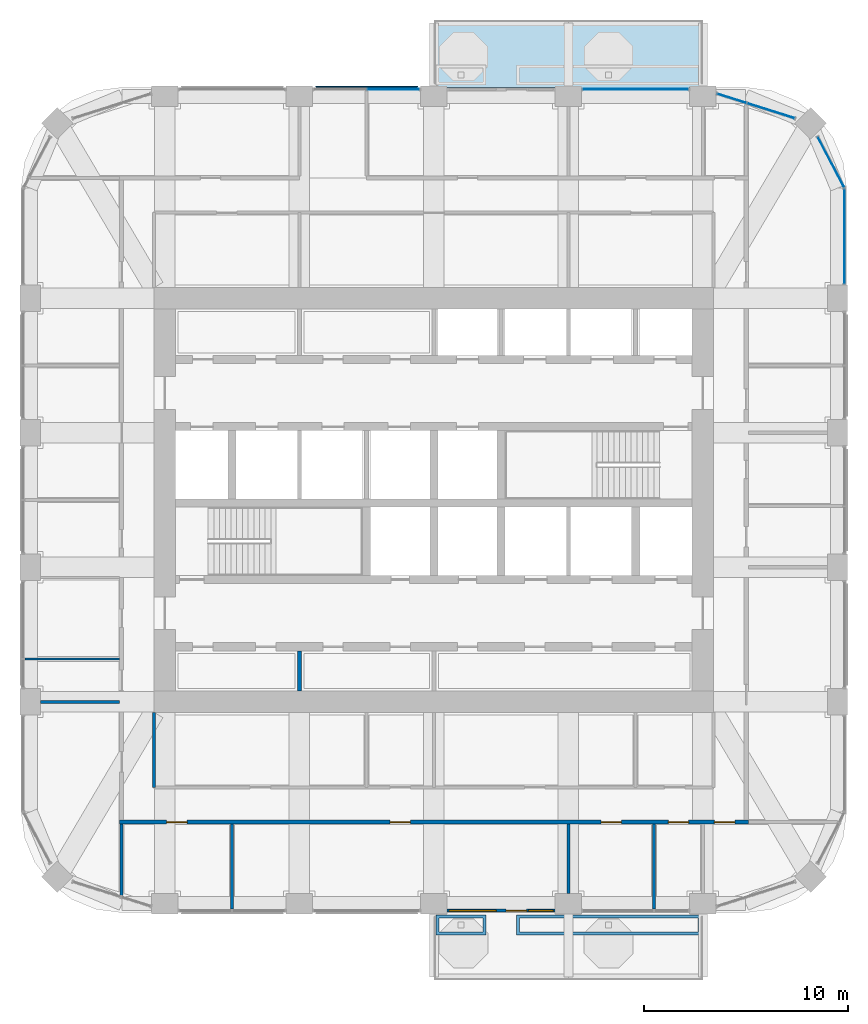
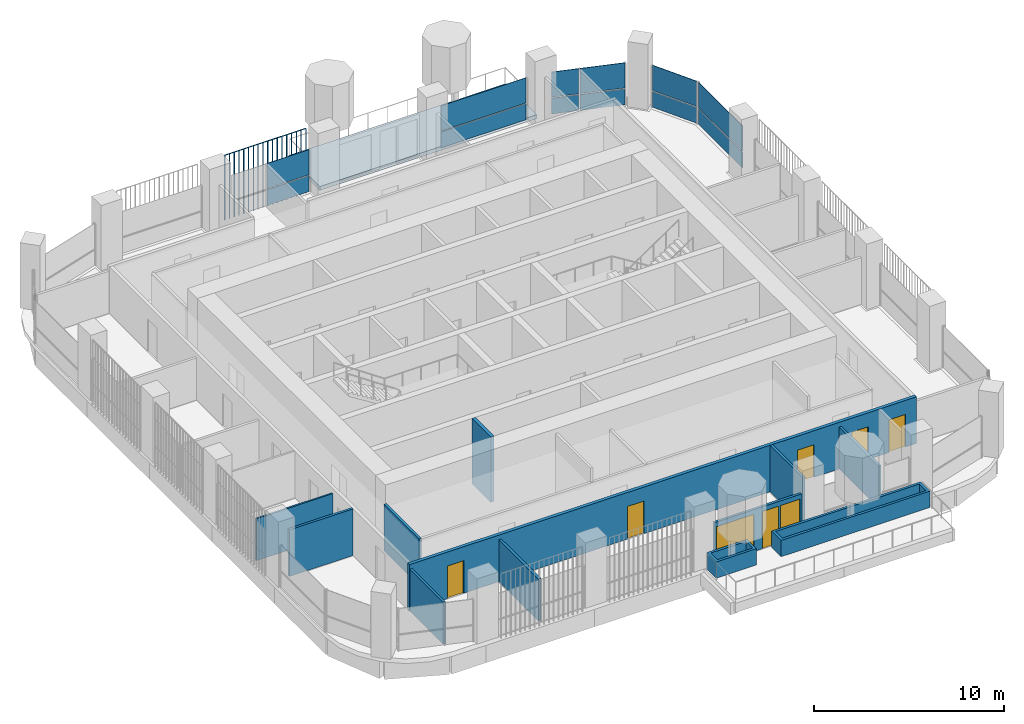
# One storey, part 13 of 20: 13 plates, 12 walls, 6 doors, 2 windows, 1 slab, 8 openings, 5 elements without a shape of their own.
"""IFC4 building model written with IfcOpenShell, lengths in metres."""

from ifc_helpers import new_model, si_unit, direction, frame, frame_2d, origin, origin_2d, place, context, subcontext, project, spatial, polyline, rectangle, outline, extrude, material, layer, layer_set, type_object, element, fill, aggregate, save


model = new_model("IFC4")

# Units and contexts
model_context = context("Model", 3, precision=1e-05, world=origin(), true_north=direction((0.0, 1.0)))
body_context = subcontext(model_context, "Body", "Model", "MODEL_VIEW")
ifc_project = project(units=[si_unit("LENGTHUNIT", "METRE"), si_unit("AREAUNIT", "SQUARE_METRE"), si_unit("VOLUMEUNIT", "CUBIC_METRE"), si_unit("PLANEANGLEUNIT", "RADIAN"), si_unit("MASSUNIT", "GRAM", prefix="KILO")], contexts=[model_context])

# Site, building, storey
site_placement = place(None, origin())
site = spatial("IfcSite", under=ifc_project, at=site_placement, CompositionType="ELEMENT")
building_placement = place(site_placement, origin())
building = spatial("IfcBuilding", under=site, at=building_placement, Name="Cobogo Forest Laboratory Tower", CompositionType="ELEMENT")
storey_placement = place(building_placement, frame((0.0, 0.0, 233.39990234375)))
storey = spatial("IfcBuildingStorey", under=building, at=storey_placement, Name="L53", CompositionType="ELEMENT", Elevation=233.39990234375)

# Slab
ifc_material_1 = material(Name="Concrete HA-40 (C40/50)", Category="concrete")
ifc_layer_1 = layer(ifc_material_1, 0.25)
ifc_layer_set_1 = layer_set([ifc_layer_1], Name="Balcony slab 250")
slab_type = type_object("IfcSlabType", Name="Balcony slab 250", PredefinedType="FLOOR", material=ifc_layer_set_1)
slab_placement = place(storey_placement, frame((0.0, 0.0, -0.25)))
element("IfcSlab", 1, at=slab_placement, inside=storey, type_object=slab_type, Name="Balcony BAL-N1 L53", PredefinedType="FLOOR", context=body_context, shape_type="SweptSolid", body=[
    extrude(outline(polyline([(26.39990234375, 43.35009765625), (39.60009765625, 43.35009765625), (39.60009765625, 46.64990234375), (26.39990234375, 46.64990234375), (26.39990234375, 43.35009765625)])), origin(), (0.0, 0.0, 1.0), 0.25),
])

# Curtain wall, plates
ifc_material_2 = material(Name="Aluminium curtain wall", Category="aluminium")
curtain_wall_type = type_object("IfcCurtainWallType", Name="CW-2 unitised curtain wall, solar control glazing, laboratory floors zones C and D", PredefinedType="USERDEFINED", material=ifc_material_2)
curtain_wall_1_placement = place(storey_placement, origin())
curtain_wall_1 = element("IfcCurtainWall", 2, at=curtain_wall_1_placement, inside=storey, type_object=curtain_wall_type, Name="Curtain wall 11 L53", ObjectType="UNITISED CURTAIN WALL", PredefinedType="USERDEFINED")
ifc_material_3 = material(Name="Solar control insulated glass", Category="glass")
ifc_layer_2 = layer(ifc_material_3, 0.031982421875)
ifc_layer_set_2 = layer_set([ifc_layer_2], Name="GP-2 solar control glass unit 32")
plate_type_1 = type_object("IfcPlateType", Name="GP-2 solar control glass unit 32", PredefinedType="CURTAIN_PANEL", material=ifc_layer_set_2)
plate_1_placement = place(storey_placement, frame((46.550048828125, 36.02490234375, 0.0), z_axis=(0.0, 0.0, 1.0), x_axis=(0.0, 1.0, 0.0)))
plate_1 = element("IfcPlate", 3, at=plate_1_placement, type_object=plate_type_1, Name="CW-2 panel 1.1", PredefinedType="CURTAIN_PANEL", context=body_context, shape_type="SweptSolid", body=[
    extrude(rectangle(XDim=4.6298828125, YDim=0.031982421875, at=origin_2d()), origin(), (0.0, 0.0, 1.0), 1.02001953125),
])
plate_2_placement = place(storey_placement, frame((46.550048828125, 36.02490234375, 1.080078125), z_axis=(0.0, 0.0, 1.0), x_axis=(0.0, 1.0, 0.0)))
plate_2 = element("IfcPlate", 4, at=plate_2_placement, type_object=plate_type_1, Name="CW-2 panel 1.2", PredefinedType="CURTAIN_PANEL", context=body_context, shape_type="SweptSolid", body=[
    extrude(rectangle(XDim=4.6298828125, YDim=0.031982421875, at=origin_2d()), origin(), (0.0, 0.0, 1.0), 1.6201171875),
])
aggregate(curtain_wall_1, [plate_1, plate_2])

curtain_wall_2_placement = place(storey_placement, origin())
curtain_wall_2 = element("IfcCurtainWall", 5, at=curtain_wall_2_placement, inside=storey, type_object=curtain_wall_type, Name="Curtain wall 12 L53", ObjectType="UNITISED CURTAIN WALL", PredefinedType="USERDEFINED")
plate_3_placement = place(storey_placement, frame((45.88134765625, 39.675537109375, 0.0), z_axis=(0.0, 0.0, 1.0), x_axis=(-0.464283804832, 0.885686484356, 0.0)))
plate_3 = element("IfcPlate", 6, at=plate_3_placement, type_object=plate_type_1, Name="CW-2 panel 1.1", PredefinedType="CURTAIN_PANEL", context=body_context, shape_type="SweptSolid", body=[
    extrude(rectangle(XDim=2.76025390625, YDim=0.031982421875, at=origin_2d()), origin(), (0.0, 0.0, 1.0), 1.02001953125),
])
plate_4_placement = place(storey_placement, frame((45.88134765625, 39.675537109375, 1.080078125), z_axis=(0.0, 0.0, 1.0), x_axis=(-0.464283804832, 0.885686484356, 0.0)))
plate_4 = element("IfcPlate", 7, at=plate_4_placement, type_object=plate_type_1, Name="CW-2 panel 1.2", PredefinedType="CURTAIN_PANEL", context=body_context, shape_type="SweptSolid", body=[
    extrude(rectangle(XDim=2.76025390625, YDim=0.031982421875, at=origin_2d()), origin(), (0.0, 0.0, 1.0), 1.6201171875),
])
aggregate(curtain_wall_2, [plate_3, plate_4])

curtain_wall_3_placement = place(storey_placement, origin())
curtain_wall_3 = element("IfcCurtainWall", 8, at=curtain_wall_3_placement, inside=storey, type_object=curtain_wall_type, Name="Curtain wall 13 L53", ObjectType="UNITISED CURTAIN WALL", PredefinedType="USERDEFINED")
plate_5_placement = place(storey_placement, frame((42.935791015625, 42.196533203125, 0.0), z_axis=(0.0, 0.0, 1.0), x_axis=(-0.953581331491, 0.301135591107, 0.0)))
plate_5 = element("IfcPlate", 9, at=plate_5_placement, type_object=plate_type_1, Name="CW-2 panel 1.1", PredefinedType="CURTAIN_PANEL", context=body_context, shape_type="SweptSolid", body=[
    extrude(rectangle(XDim=2.428955078125, YDim=0.031982421875, at=origin_2d()), origin(), (0.0, 0.0, 1.0), 1.02001953125),
])
plate_6_placement = place(storey_placement, frame((42.935791015625, 42.196533203125, 1.080078125), z_axis=(0.0, 0.0, 1.0), x_axis=(-0.953581331491, 0.301135591107, 0.0)))
plate_6 = element("IfcPlate", 10, at=plate_6_placement, type_object=plate_type_1, Name="CW-2 panel 1.2", PredefinedType="CURTAIN_PANEL", context=body_context, shape_type="SweptSolid", body=[
    extrude(rectangle(XDim=2.428955078125, YDim=0.031982421875, at=origin_2d()), origin(), (0.0, 0.0, 1.0), 1.6201171875),
])
plate_7_placement = place(storey_placement, frame((41.013916015625, 42.803466796875, 0.0), z_axis=(0.0, 0.0, 1.0), x_axis=(-0.953581331491, 0.301135591107, 0.0)))
plate_7 = element("IfcPlate", 11, at=plate_7_placement, type_object=plate_type_1, Name="CW-2 panel 2.1", PredefinedType="CURTAIN_PANEL", context=body_context, shape_type="SweptSolid", body=[
    extrude(rectangle(XDim=1.482177734375, YDim=0.031982421875, at=origin_2d()), origin(), (0.0, 0.0, 1.0), 1.02001953125),
])
plate_8_placement = place(storey_placement, frame((41.013916015625, 42.803466796875, 1.080078125), z_axis=(0.0, 0.0, 1.0), x_axis=(-0.953581331491, 0.301135591107, 0.0)))
plate_8 = element("IfcPlate", 12, at=plate_8_placement, type_object=plate_type_1, Name="CW-2 panel 2.2", PredefinedType="CURTAIN_PANEL", context=body_context, shape_type="SweptSolid", body=[
    extrude(rectangle(XDim=1.482177734375, YDim=0.031982421875, at=origin_2d()), origin(), (0.0, 0.0, 1.0), 1.6201171875),
])
aggregate(curtain_wall_3, [plate_5, plate_6, plate_7, plate_8])

curtain_wall_4_placement = place(storey_placement, origin())
curtain_wall_4 = element("IfcCurtainWall", 13, at=curtain_wall_4_placement, inside=storey, type_object=curtain_wall_type, Name="Curtain wall 14 L53", ObjectType="UNITISED CURTAIN WALL", PredefinedType="USERDEFINED")
plate_9_placement = place(storey_placement, frame((36.300048828125, 43.25, 0.0), z_axis=(0.0, 0.0, 1.0), x_axis=(-1.0, 0.0, 0.0)))
plate_9 = element("IfcPlate", 14, at=plate_9_placement, type_object=plate_type_1, Name="CW-2 panel 1.1", PredefinedType="CURTAIN_PANEL", context=body_context, shape_type="SweptSolid", body=[
    extrude(rectangle(XDim=5.179931640625, YDim=0.031982421875, at=origin_2d()), origin(), (0.0, 0.0, 1.0), 1.02001953125),
])
plate_10_placement = place(storey_placement, frame((36.300048828125, 43.25, 1.080078125), z_axis=(0.0, 0.0, 1.0), x_axis=(-1.0, 0.0, 0.0)))
plate_10 = element("IfcPlate", 15, at=plate_10_placement, type_object=plate_type_1, Name="CW-2 panel 1.2", PredefinedType="CURTAIN_PANEL", context=body_context, shape_type="SweptSolid", body=[
    extrude(rectangle(XDim=5.179931640625, YDim=0.031982421875, at=origin_2d()), origin(), (0.0, 0.0, 1.0), 1.6201171875),
])
aggregate(curtain_wall_4, [plate_9, plate_10])

curtain_wall_5_placement = place(storey_placement, origin())
curtain_wall_5 = element("IfcCurtainWall", 16, at=curtain_wall_5_placement, inside=storey, type_object=curtain_wall_type, Name="Curtain wall 16 L53", ObjectType="UNITISED CURTAIN WALL", PredefinedType="USERDEFINED")
plate_11_placement = place(storey_placement, frame((24.409912109375, 43.25, 0.0), z_axis=(0.0, 0.0, 1.0), x_axis=(-1.0, 0.0, 0.0)))
plate_11 = element("IfcPlate", 17, at=plate_11_placement, type_object=plate_type_1, Name="CW-2 panel 1.1", PredefinedType="CURTAIN_PANEL", context=body_context, shape_type="SweptSolid", body=[
    extrude(rectangle(XDim=2.56005859375, YDim=0.031982421875, at=origin_2d()), origin(), (0.0, 0.0, 1.0), 1.02001953125),
])
plate_12_placement = place(storey_placement, frame((24.409912109375, 43.25, 1.080078125), z_axis=(0.0, 0.0, 1.0), x_axis=(-1.0, 0.0, 0.0)))
plate_12 = element("IfcPlate", 18, at=plate_12_placement, type_object=plate_type_1, Name="CW-2 panel 1.2", PredefinedType="CURTAIN_PANEL", context=body_context, shape_type="SweptSolid", body=[
    extrude(rectangle(XDim=2.56005859375, YDim=0.031982421875, at=origin_2d()), origin(), (0.0, 0.0, 1.0), 1.6201171875),
])
aggregate(curtain_wall_5, [plate_11, plate_12])

# Plate
ifc_material_4 = material(Name="Terracotta", Category="masonry")
plate_type_2 = type_object("IfcPlateType", Name="TB1 terracotta baguette screen", PredefinedType="USERDEFINED", material=ifc_material_4)
plate_13_placement = place(storey_placement, frame((20.63134765625, 43.3779296875, -0.14990234375)))
element("IfcPlate", 19, at=plate_13_placement, inside=storey, type_object=plate_type_2, Name="Baguette screen N2 L53", ObjectType="BAGUETTE SCREEN", PredefinedType="USERDEFINED", context=body_context, shape_type="SweptSolid", body=[
    extrude(outline(polyline([(0.02880859375, 0.011962890625), (0.011962890625, 0.02880859375), (-0.011962890625, 0.02880859375), (-0.02880859375, 0.011962890625), (-0.02880859375, -0.011962890625), (-0.011962890625, -0.02880859375), (0.011962890625, -0.02880859375), (0.02880859375, -0.011962890625), (0.02880859375, 0.011962890625)])), frame((0.0, 0.0, 4.168701171875), z_axis=(1.0, 0.0, 0.0), x_axis=(0.0, 1.0, 0.0)), (0.0, 0.0, 1.0), 4.9375),
    extrude(outline(polyline([(0.02880859375, 0.011962890625), (0.011962890625, 0.02880859375), (-0.011962890625, 0.02880859375), (-0.02880859375, 0.011962890625), (-0.02880859375, -0.011962890625), (-0.011962890625, -0.02880859375), (0.011962890625, -0.02880859375), (0.02880859375, -0.011962890625), (0.02880859375, 0.011962890625)])), origin(), (0.0, 0.0, 1.0), 4.137451171875),
    extrude(outline(polyline([(0.02880859375, 0.011962890625), (0.011962890625, 0.02880859375), (-0.011962890625, 0.02880859375), (-0.02880859375, 0.011962890625), (-0.02880859375, -0.011962890625), (-0.011962890625, -0.02880859375), (0.011962890625, -0.02880859375), (0.02880859375, -0.011962890625), (0.02880859375, 0.011962890625)])), frame((0.29052734375, 0.0, 0.0)), (0.0, 0.0, 1.0), 4.137451171875),
    extrude(outline(polyline([(0.02880859375, 0.011962890625), (0.011962890625, 0.02880859375), (-0.011962890625, 0.02880859375), (-0.02880859375, 0.011962890625), (-0.02880859375, -0.011962890625), (-0.011962890625, -0.02880859375), (0.011962890625, -0.02880859375), (0.02880859375, -0.011962890625), (0.02880859375, 0.011962890625)])), frame((0.580810546875, 0.0, 0.0)), (0.0, 0.0, 1.0), 4.137451171875),
    extrude(outline(polyline([(0.02880859375, 0.011962890625), (0.011962890625, 0.02880859375), (-0.011962890625, 0.02880859375), (-0.02880859375, 0.011962890625), (-0.02880859375, -0.011962890625), (-0.011962890625, -0.02880859375), (0.011962890625, -0.02880859375), (0.02880859375, -0.011962890625), (0.02880859375, 0.011962890625)])), frame((0.871337890625, 0.0, 0.0)), (0.0, 0.0, 1.0), 4.137451171875),
    extrude(outline(polyline([(0.02880859375, 0.011962890625), (0.011962890625, 0.02880859375), (-0.011962890625, 0.02880859375), (-0.02880859375, 0.011962890625), (-0.02880859375, -0.011962890625), (-0.011962890625, -0.02880859375), (0.011962890625, -0.02880859375), (0.02880859375, -0.011962890625), (0.02880859375, 0.011962890625)])), frame((1.161865234375, 0.0, 0.0)), (0.0, 0.0, 1.0), 4.137451171875),
    extrude(outline(polyline([(0.02880859375, 0.011962890625), (0.011962890625, 0.02880859375), (-0.011962890625, 0.02880859375), (-0.02880859375, 0.011962890625), (-0.02880859375, -0.011962890625), (-0.011962890625, -0.02880859375), (0.011962890625, -0.02880859375), (0.02880859375, -0.011962890625), (0.02880859375, 0.011962890625)])), frame((1.4521484375, 0.0, 0.0)), (0.0, 0.0, 1.0), 4.137451171875),
    extrude(outline(polyline([(0.02880859375, 0.011962890625), (0.011962890625, 0.02880859375), (-0.011962890625, 0.02880859375), (-0.02880859375, 0.011962890625), (-0.02880859375, -0.011962890625), (-0.011962890625, -0.02880859375), (0.011962890625, -0.02880859375), (0.02880859375, -0.011962890625), (0.02880859375, 0.011962890625)])), frame((1.74267578125, 0.0, 0.0)), (0.0, 0.0, 1.0), 4.137451171875),
    extrude(outline(polyline([(0.02880859375, 0.011962890625), (0.011962890625, 0.02880859375), (-0.011962890625, 0.02880859375), (-0.02880859375, 0.011962890625), (-0.02880859375, -0.011962890625), (-0.011962890625, -0.02880859375), (0.011962890625, -0.02880859375), (0.02880859375, -0.011962890625), (0.02880859375, 0.011962890625)])), frame((2.033203125, 0.0, 0.0)), (0.0, 0.0, 1.0), 4.137451171875),
    extrude(outline(polyline([(0.02880859375, 0.011962890625), (0.011962890625, 0.02880859375), (-0.011962890625, 0.02880859375), (-0.02880859375, 0.011962890625), (-0.02880859375, -0.011962890625), (-0.011962890625, -0.02880859375), (0.011962890625, -0.02880859375), (0.02880859375, -0.011962890625), (0.02880859375, 0.011962890625)])), frame((2.323486328125, 0.0, 0.0)), (0.0, 0.0, 1.0), 4.137451171875),
    extrude(outline(polyline([(0.02880859375, 0.011962890625), (0.011962890625, 0.02880859375), (-0.011962890625, 0.02880859375), (-0.02880859375, 0.011962890625), (-0.02880859375, -0.011962890625), (-0.011962890625, -0.02880859375), (0.011962890625, -0.02880859375), (0.02880859375, -0.011962890625), (0.02880859375, 0.011962890625)])), frame((2.614013671875, 0.0, 0.0)), (0.0, 0.0, 1.0), 4.137451171875),
    extrude(outline(polyline([(0.02880859375, 0.011962890625), (0.011962890625, 0.02880859375), (-0.011962890625, 0.02880859375), (-0.02880859375, 0.011962890625), (-0.02880859375, -0.011962890625), (-0.011962890625, -0.02880859375), (0.011962890625, -0.02880859375), (0.02880859375, -0.011962890625), (0.02880859375, 0.011962890625)])), frame((2.904296875, 0.0, 0.0)), (0.0, 0.0, 1.0), 4.137451171875),
    extrude(outline(polyline([(0.02880859375, 0.011962890625), (0.011962890625, 0.02880859375), (-0.011962890625, 0.02880859375), (-0.02880859375, 0.011962890625), (-0.02880859375, -0.011962890625), (-0.011962890625, -0.02880859375), (0.011962890625, -0.02880859375), (0.02880859375, -0.011962890625), (0.02880859375, 0.011962890625)])), frame((3.19482421875, 0.0, 0.0)), (0.0, 0.0, 1.0), 4.137451171875),
    extrude(outline(polyline([(0.02880859375, 0.011962890625), (0.011962890625, 0.02880859375), (-0.011962890625, 0.02880859375), (-0.02880859375, 0.011962890625), (-0.02880859375, -0.011962890625), (-0.011962890625, -0.02880859375), (0.011962890625, -0.02880859375), (0.02880859375, -0.011962890625), (0.02880859375, 0.011962890625)])), frame((3.4853515625, 0.0, 0.0)), (0.0, 0.0, 1.0), 4.137451171875),
    extrude(outline(polyline([(0.02880859375, 0.011962890625), (0.011962890625, 0.02880859375), (-0.011962890625, 0.02880859375), (-0.02880859375, 0.011962890625), (-0.02880859375, -0.011962890625), (-0.011962890625, -0.02880859375), (0.011962890625, -0.02880859375), (0.02880859375, -0.011962890625), (0.02880859375, 0.011962890625)])), frame((3.775634765625, 0.0, 0.0)), (0.0, 0.0, 1.0), 4.137451171875),
    extrude(outline(polyline([(0.02880859375, 0.011962890625), (0.011962890625, 0.02880859375), (-0.011962890625, 0.02880859375), (-0.02880859375, 0.011962890625), (-0.02880859375, -0.011962890625), (-0.011962890625, -0.02880859375), (0.011962890625, -0.02880859375), (0.02880859375, -0.011962890625), (0.02880859375, 0.011962890625)])), frame((4.066162109375, 0.0, 0.0)), (0.0, 0.0, 1.0), 4.137451171875),
    extrude(outline(polyline([(0.02880859375, 0.011962890625), (0.011962890625, 0.02880859375), (-0.011962890625, 0.02880859375), (-0.02880859375, 0.011962890625), (-0.02880859375, -0.011962890625), (-0.011962890625, -0.02880859375), (0.011962890625, -0.02880859375), (0.02880859375, -0.011962890625), (0.02880859375, 0.011962890625)])), frame((4.356689453125, 0.0, 0.0)), (0.0, 0.0, 1.0), 4.137451171875),
    extrude(outline(polyline([(0.02880859375, 0.011962890625), (0.011962890625, 0.02880859375), (-0.011962890625, 0.02880859375), (-0.02880859375, 0.011962890625), (-0.02880859375, -0.011962890625), (-0.011962890625, -0.02880859375), (0.011962890625, -0.02880859375), (0.02880859375, -0.011962890625), (0.02880859375, 0.011962890625)])), frame((4.64697265625, 0.0, 0.0)), (0.0, 0.0, 1.0), 4.137451171875),
    extrude(outline(polyline([(0.02880859375, 0.011962890625), (0.011962890625, 0.02880859375), (-0.011962890625, 0.02880859375), (-0.02880859375, 0.011962890625), (-0.02880859375, -0.011962890625), (-0.011962890625, -0.02880859375), (0.011962890625, -0.02880859375), (0.02880859375, -0.011962890625), (0.02880859375, 0.011962890625)])), frame((4.9375, 0.0, 0.0)), (0.0, 0.0, 1.0), 4.137451171875),
])

# Wall, openings, door, windows
ifc_material_5 = material(Name="Aluminium framed glazed screen", Category="aluminium")
ifc_layer_3 = layer(ifc_material_5, 0.14990234375)
ifc_layer_set_3 = layer_set([ifc_layer_3], Name="GS1 glazed door screen 150")
wall_type_1 = type_object("IfcWallType", Name="GS1 glazed door screen 150", PredefinedType="SOLIDWALL", material=ifc_layer_set_3)
wall_1_placement = place(storey_placement, frame((27.050048828125, 2.949951171875, 0.0), z_axis=(0.0, 0.0, 1.0), x_axis=(1.0, 0.0, 0.0)))
wall_1 = element("IfcWall", 20, at=wall_1_placement, inside=storey, type_object=wall_type_1, Name="Door screen BAL-S1 L53", PredefinedType="SOLIDWALL", context=body_context, shape_type="SweptSolid", body=[
    extrude(rectangle(XDim=5.300048828125, YDim=0.14990234375, at=frame_2d((2.64990234375, 0.0))), origin(), (0.0, 0.0, 1.0), 2.7001953125),
])
opening_1_placement = place(wall_1_placement, frame((2.89990234375, 0.0, 0.0)))
opening_1 = element("IfcOpeningElement", 21, at=opening_1_placement, cuts=wall_1, Name="Opening L53-D01", PredefinedType="OPENING", context=body_context, shape_type="SweptSolid", body=[
    extrude(rectangle(XDim=1.0, YDim=2.39990234375, at=frame_2d((0.5, 1.199951171875))), frame((0.0, 0.0849609375, 0.0), z_axis=(0.0, -1.0, 0.0), x_axis=(1.0, 0.0, 0.0)), (0.0, 0.0, 1.0), 0.169921875),
])
opening_2_placement = place(wall_1_placement, frame((0.10009765625, 0.0, 0.10009765625)))
opening_2 = element("IfcOpeningElement", 22, at=opening_2_placement, cuts=wall_1, Name="Opening L53-W01", PredefinedType="OPENING", context=body_context, shape_type="SweptSolid", body=[
    extrude(rectangle(XDim=2.300048828125, YDim=2.300048828125, at=frame_2d((1.14990234375, 1.14990234375))), frame((0.0, 0.0849609375, 0.0), z_axis=(0.0, -1.0, 0.0), x_axis=(1.0, 0.0, 0.0)), (0.0, 0.0, 1.0), 0.169921875),
])
opening_3_placement = place(wall_1_placement, frame((4.0, 0.0, 0.10009765625)))
opening_3 = element("IfcOpeningElement", 23, at=opening_3_placement, cuts=wall_1, Name="Opening L53-W02", PredefinedType="OPENING", context=body_context, shape_type="SweptSolid", body=[
    extrude(rectangle(XDim=1.199951171875, YDim=2.300048828125, at=frame_2d((0.60009765625, 1.14990234375))), frame((0.0, 0.0849609375, 0.0), z_axis=(0.0, -1.0, 0.0), x_axis=(1.0, 0.0, 0.0)), (0.0, 0.0, 1.0), 0.169921875),
])
ifc_material_6 = material(Name="Aluminium glazed door", Category="aluminium")
door_type_1 = type_object("IfcDoorType", Name="DB1 balcony door 1000 glazed", OperationType="SINGLE_SWING_LEFT", PredefinedType="DOOR", material=ifc_material_6)
door_1_placement = place(opening_1_placement, origin())
door_1 = element("IfcDoor", 24, at=door_1_placement, inside=storey, type_object=door_type_1, Name="Door L53-BAL-S1", OperationType="SINGLE_SWING_RIGHT", OverallHeight=2.39990234375, OverallWidth=1.0, PredefinedType="DOOR", context=body_context, shape_type="SweptSolid", body=[
    extrude(rectangle(XDim=1.0, YDim=2.39990234375, at=frame_2d((0.5, 1.199951171875))), frame((0.0, 0.02490234375, 0.0), z_axis=(0.0, -1.0, 0.0), x_axis=(1.0, 0.0, 0.0)), (0.0, 0.0, 1.0), 0.050048828125),
])
fill(opening_1, door_1)
ifc_material_7 = material(Name="Aluminium framed glazing", Category="aluminium")
window_type_1 = type_object("IfcWindowType", Name="WG21 fixed glazed light 2300x2300", PartitioningType="SINGLE_PANEL", PredefinedType="WINDOW", material=ifc_material_7)
window_1_placement = place(opening_2_placement, origin())
window_1 = element("IfcWindow", 25, at=window_1_placement, inside=storey, type_object=window_type_1, Name="Window L53-BAL-S1-1", OverallHeight=2.300048828125, OverallWidth=2.300048828125, PartitioningType="SINGLE_PANEL", PredefinedType="WINDOW", context=body_context, shape_type="SweptSolid", body=[
    extrude(rectangle(XDim=2.300048828125, YDim=2.300048828125, at=frame_2d((1.14990234375, 1.14990234375))), frame((0.0, 0.030029296875, 0.0), z_axis=(0.0, -1.0, 0.0), x_axis=(1.0, 0.0, 0.0)), (0.0, 0.0, 1.0), 0.06005859375),
])
fill(opening_2, window_1)
window_type_2 = type_object("IfcWindowType", Name="WG22 fixed glazed light 1200x2300", PartitioningType="SINGLE_PANEL", PredefinedType="WINDOW", material=ifc_material_7)
window_2_placement = place(opening_3_placement, origin())
window_2 = element("IfcWindow", 26, at=window_2_placement, inside=storey, type_object=window_type_2, Name="Window L53-BAL-S1-2", OverallHeight=2.300048828125, OverallWidth=1.199951171875, PartitioningType="SINGLE_PANEL", PredefinedType="WINDOW", context=body_context, shape_type="SweptSolid", body=[
    extrude(rectangle(XDim=1.199951171875, YDim=2.300048828125, at=frame_2d((0.60009765625, 1.14990234375))), frame((0.0, 0.030029296875, 0.0), z_axis=(0.0, -1.0, 0.0), x_axis=(1.0, 0.0, 0.0)), (0.0, 0.0, 1.0), 0.06005859375),
])
fill(opening_3, window_2)

# Walls
ifc_material_8 = material(Name="Gypsum board on steel studs", Category="steel")
ifc_layer_4 = layer(ifc_material_8, 0.14990234375)
ifc_layer_set_4 = layer_set([ifc_layer_4], Name="PT1 laboratory partition 150")
wall_type_2 = type_object("IfcWallType", Name="PT1 laboratory partition 150", PredefinedType="PARTITIONING", material=ifc_layer_set_4)
wall_2_placement = place(storey_placement, frame((12.675048828125, 12.675048828125, 0.0), z_axis=(0.0, 0.0, 1.0), x_axis=(0.0, -1.0, 0.0)))
element("IfcWall", 27, at=wall_2_placement, inside=storey, type_object=wall_type_2, Name="Partition CSTRIP-SW L53", PredefinedType="PARTITIONING", context=body_context, shape_type="SweptSolid", body=[
    extrude(rectangle(XDim=3.675048828125, YDim=0.14990234375, at=frame_2d((1.83740234375, 0.0))), origin(), (0.0, 0.0, 1.0), 3.0),
])
wall_3_placement = place(storey_placement, frame((11.074951171875, 3.705078125, 0.0), z_axis=(0.0, 0.0, 1.0), x_axis=(0.0, 1.0, 0.0)))
element("IfcWall", 28, at=wall_3_placement, inside=storey, type_object=wall_type_2, Name="Partition PW-SW L53", PredefinedType="PARTITIONING", context=body_context, shape_type="SweptSolid", body=[
    extrude(rectangle(XDim=3.494873046875, YDim=0.14990234375, at=frame_2d((1.74755859375, 0.0))), origin(), (0.0, 0.0, 1.0), 2.7001953125),
])
for number, where, z_axis, x_axis, name in (
    (29, (37.199951171875, 3.030029296875, 0.0), (0.0, 0.0, 1.0), (0.0, 1.0, 0.0), "Partition SVC-S1-1 L53"),
    (30, (16.5, 3.030029296875, 0.0), (0.0, 0.0, 1.0), (0.0, 1.0, 0.0), "Partition CUT-S16.5-1 L53"),
):
    element("IfcWall", number, at=place(storey_placement, frame(where, z_axis=z_axis, x_axis=x_axis)), inside=storey, type_object=wall_type_2, Name=name, PredefinedType="PARTITIONING", context=body_context, shape_type="SweptSolid", body=[
        extrude(rectangle(XDim=4.169921875, YDim=0.14990234375, at=frame_2d((2.0849609375, 0.0))), origin(), (0.0, 0.0, 1.0), 2.7001953125),
    ])
wall_4_placement = place(storey_placement, frame((33.0, 3.800048828125, 0.0), z_axis=(0.0, 0.0, 1.0), x_axis=(0.0, 1.0, 0.0)))
element("IfcWall", 31, at=wall_4_placement, inside=storey, type_object=wall_type_2, Name="Partition CUT-S33-1 L53", PredefinedType="PARTITIONING", context=body_context, shape_type="SweptSolid", body=[
    extrude(rectangle(XDim=3.39990234375, YDim=0.14990234375, at=frame_2d((1.699951171875, 0.0))), origin(), (0.0, 0.0, 1.0), 3.0),
])
wall_5_placement = place(storey_placement, frame((7.10009765625, 13.199951171875, 0.0), z_axis=(0.0, 0.0, 1.0), x_axis=(1.0, 0.0, 0.0)))
element("IfcWall", 32, at=wall_5_placement, inside=storey, type_object=wall_type_2, Name="Partition CUT-W13.2-1 L53", PredefinedType="PARTITIONING", context=body_context, shape_type="SweptSolid", body=[
    extrude(rectangle(XDim=3.875, YDim=0.14990234375, at=frame_2d((1.9375, 0.0))), origin(), (0.0, 0.0, 1.0), 3.0),
])

# Wall, openings, doors
ifc_layer_5 = layer(ifc_material_8, 0.199951171875)
ifc_layer_set_5 = layer_set([ifc_layer_5], Name="PT2 fire-rated corridor partition 200")
wall_type_3 = type_object("IfcWallType", Name="PT2 fire-rated corridor partition 200", PredefinedType="PARTITIONING", material=ifc_layer_set_5)
wall_6_placement = place(storey_placement, frame((10.97509765625, 7.300048828125, 0.0), z_axis=(0.0, 0.0, 1.0), x_axis=(1.0, 0.0, 0.0)))
wall_6 = element("IfcWall", 33, at=wall_6_placement, inside=storey, type_object=wall_type_3, Name="Partition CORR-S L53", PredefinedType="PARTITIONING", context=body_context, shape_type="SweptSolid", body=[
    extrude(rectangle(XDim=30.849853515625, YDim=0.199951171875, at=frame_2d((15.4248046875, 0.0))), origin(), (0.0, 0.0, 1.0), 3.0),
])
opening_4_placement = place(wall_6_placement, frame((2.3125, 0.0, 0.0)))
opening_4 = element("IfcOpeningElement", 34, at=opening_4_placement, cuts=wall_6, Name="Opening L53-D02", PredefinedType="OPENING", context=body_context, shape_type="SweptSolid", body=[
    extrude(rectangle(XDim=1.0, YDim=2.10009765625, at=frame_2d((0.5, 1.050048828125))), frame((0.0, 0.10986328125, 0.0), z_axis=(0.0, -1.0, 0.0), x_axis=(1.0, 0.0, 0.0)), (0.0, 0.0, 1.0), 0.219970703125),
])
opening_5_placement = place(wall_6_placement, frame((13.27490234375, 0.0, 0.0)))
opening_5 = element("IfcOpeningElement", 35, at=opening_5_placement, cuts=wall_6, Name="Opening L53-D03", PredefinedType="OPENING", context=body_context, shape_type="SweptSolid", body=[
    extrude(rectangle(XDim=1.0, YDim=2.10009765625, at=frame_2d((0.5, 1.050048828125))), frame((0.0, 0.10986328125, 0.0), z_axis=(0.0, -1.0, 0.0), x_axis=(1.0, 0.0, 0.0)), (0.0, 0.0, 1.0), 0.219970703125),
])
opening_6_placement = place(wall_6_placement, frame((23.625, 0.0, 0.0)))
opening_6 = element("IfcOpeningElement", 36, at=opening_6_placement, cuts=wall_6, Name="Opening L53-D04", PredefinedType="OPENING", context=body_context, shape_type="SweptSolid", body=[
    extrude(rectangle(XDim=1.0, YDim=2.10009765625, at=frame_2d((0.5, 1.050048828125))), frame((0.0, 0.10986328125, 0.0), z_axis=(0.0, -1.0, 0.0), x_axis=(1.0, 0.0, 0.0)), (0.0, 0.0, 1.0), 0.219970703125),
])
opening_7_placement = place(wall_6_placement, frame((26.925048828125, 0.0, 0.0)))
opening_7 = element("IfcOpeningElement", 37, at=opening_7_placement, cuts=wall_6, Name="Opening L53-D05", PredefinedType="OPENING", context=body_context, shape_type="SweptSolid", body=[
    extrude(rectangle(XDim=1.0, YDim=2.10009765625, at=frame_2d((0.5, 1.050048828125))), frame((0.0, 0.10986328125, 0.0), z_axis=(0.0, -1.0, 0.0), x_axis=(1.0, 0.0, 0.0)), (0.0, 0.0, 1.0), 0.219970703125),
])
opening_8_placement = place(wall_6_placement, frame((29.1875, 0.0, 0.0)))
opening_8 = element("IfcOpeningElement", 38, at=opening_8_placement, cuts=wall_6, Name="Opening L53-D06", PredefinedType="OPENING", context=body_context, shape_type="SweptSolid", body=[
    extrude(rectangle(XDim=1.0, YDim=2.10009765625, at=frame_2d((0.5, 1.050048828125))), frame((0.0, 0.10986328125, 0.0), z_axis=(0.0, -1.0, 0.0), x_axis=(1.0, 0.0, 0.0)), (0.0, 0.0, 1.0), 0.219970703125),
])
ifc_material_9 = material(Name="Timber fire door", Category="wood")
door_type_2 = type_object("IfcDoorType", Name="FD2 fire door 1000 EI2 30", OperationType="SINGLE_SWING_LEFT", PredefinedType="DOOR", material=ifc_material_9)
door_2_placement = place(opening_4_placement, origin())
door_2 = element("IfcDoor", 39, at=door_2_placement, inside=storey, type_object=door_type_2, Name="Door L53-S1", OperationType="SINGLE_SWING_LEFT", OverallHeight=2.10009765625, OverallWidth=1.0, PredefinedType="DOOR", context=body_context, shape_type="SweptSolid", body=[
    extrude(rectangle(XDim=1.0, YDim=2.10009765625, at=frame_2d((0.5, 1.050048828125))), frame((0.0, 0.02490234375, 0.0), z_axis=(0.0, -1.0, 0.0), x_axis=(1.0, 0.0, 0.0)), (0.0, 0.0, 1.0), 0.050048828125),
])
fill(opening_4, door_2)
door_3_placement = place(opening_5_placement, origin())
door_3 = element("IfcDoor", 40, at=door_3_placement, inside=storey, type_object=door_type_2, Name="Door L53-S2", OperationType="SINGLE_SWING_LEFT", OverallHeight=2.10009765625, OverallWidth=1.0, PredefinedType="DOOR", context=body_context, shape_type="SweptSolid", body=[
    extrude(rectangle(XDim=1.0, YDim=2.10009765625, at=frame_2d((0.5, 1.050048828125))), frame((0.0, 0.02490234375, 0.0), z_axis=(0.0, -1.0, 0.0), x_axis=(1.0, 0.0, 0.0)), (0.0, 0.0, 1.0), 0.050048828125),
])
fill(opening_5, door_3)
door_4_placement = place(opening_6_placement, origin())
door_4 = element("IfcDoor", 41, at=door_4_placement, inside=storey, type_object=door_type_2, Name="Door L53-MTG", OperationType="SINGLE_SWING_RIGHT", OverallHeight=2.10009765625, OverallWidth=1.0, PredefinedType="DOOR", context=body_context, shape_type="SweptSolid", body=[
    extrude(rectangle(XDim=1.0, YDim=2.10009765625, at=frame_2d((0.5, 1.050048828125))), frame((0.0, 0.02490234375, 0.0), z_axis=(0.0, -1.0, 0.0), x_axis=(1.0, 0.0, 0.0)), (0.0, 0.0, 1.0), 0.050048828125),
])
fill(opening_6, door_4)
door_5_placement = place(opening_7_placement, origin())
door_5 = element("IfcDoor", 42, at=door_5_placement, inside=storey, type_object=door_type_2, Name="Door L53-PAN", OperationType="SINGLE_SWING_RIGHT", OverallHeight=2.10009765625, OverallWidth=1.0, PredefinedType="DOOR", context=body_context, shape_type="SweptSolid", body=[
    extrude(rectangle(XDim=1.0, YDim=2.10009765625, at=frame_2d((0.5, 1.050048828125))), frame((0.0, 0.02490234375, 0.0), z_axis=(0.0, -1.0, 0.0), x_axis=(1.0, 0.0, 0.0)), (0.0, 0.0, 1.0), 0.050048828125),
])
fill(opening_7, door_5)
door_6_placement = place(opening_8_placement, origin())
door_6 = element("IfcDoor", 43, at=door_6_placement, inside=storey, type_object=door_type_2, Name="Door L53-S4", OperationType="SINGLE_SWING_RIGHT", OverallHeight=2.10009765625, OverallWidth=1.0, PredefinedType="DOOR", context=body_context, shape_type="SweptSolid", body=[
    extrude(rectangle(XDim=1.0, YDim=2.10009765625, at=frame_2d((0.5, 1.050048828125))), frame((0.0, 0.02490234375, 0.0), z_axis=(0.0, -1.0, 0.0), x_axis=(1.0, 0.0, 0.0)), (0.0, 0.0, 1.0), 0.050048828125),
])
fill(opening_8, door_6)

# Walls
ifc_layer_6 = layer(ifc_material_8, 0.10009765625)
ifc_layer_set_6 = layer_set([ifc_layer_6], Name="PT3 toilet partition 100")
wall_type_4 = type_object("IfcWallType", Name="PT3 toilet partition 100", PredefinedType="PARTITIONING", material=ifc_layer_set_6)
wall_7_placement = place(storey_placement, frame((6.330078125, 15.300048828125, 0.0), z_axis=(0.0, 0.0, 1.0), x_axis=(1.0, 0.0, 0.0)))
element("IfcWall", 44, at=wall_7_placement, inside=storey, type_object=wall_type_4, Name="Partition SVC-W1-1 L53", PredefinedType="PARTITIONING", context=body_context, shape_type="SweptSolid", body=[
    extrude(rectangle(XDim=4.64501953125, YDim=0.10009765625, at=frame_2d((2.322509765625, 0.0))), origin(), (0.0, 0.0, 1.0), 2.7001953125),
])
ifc_layer_7 = layer(ifc_material_1, 0.14990234375)
ifc_layer_set_7 = layer_set([ifc_layer_7], Name="Planter box 1000x1050")
wall_type_5 = type_object("IfcWallType", Name="Planter box 1000x1050", PredefinedType="USERDEFINED", material=ifc_layer_set_7)
wall_8_placement = place(storey_placement, origin())
element("IfcWall", 45, at=wall_8_placement, inside=storey, type_object=wall_type_5, Name="Planter BAL-S1-1 L53", ObjectType="PLANTER", PredefinedType="USERDEFINED", context=body_context, shape_type="SweptSolid", body=[
    extrude(outline(polyline([(26.5, 1.75), (28.949951171875, 1.75), (28.949951171875, 2.75), (26.5, 2.75), (26.5, 1.75)]), holes=[polyline([(26.64990234375, 1.89990234375), (28.800048828125, 1.89990234375), (28.800048828125, 2.60009765625), (26.64990234375, 2.60009765625), (26.64990234375, 1.89990234375)])]), origin(), (0.0, 0.0, 1.0), 1.050048828125),
])
wall_9_placement = place(storey_placement, origin())
element("IfcWall", 46, at=wall_9_placement, inside=storey, type_object=wall_type_5, Name="Planter BAL-S1-2 L53", ObjectType="PLANTER", PredefinedType="USERDEFINED", context=body_context, shape_type="SweptSolid", body=[
    extrude(outline(polyline([(30.449951171875, 1.75), (39.5, 1.75), (39.5, 2.75), (30.449951171875, 2.75), (30.449951171875, 1.75)]), holes=[polyline([(30.60009765625, 1.89990234375), (39.35009765625, 1.89990234375), (39.35009765625, 2.60009765625), (30.60009765625, 2.60009765625), (30.60009765625, 1.89990234375)])]), origin(), (0.0, 0.0, 1.0), 1.050048828125),
])
ifc_material_10 = material(Name="Concrete block", Category="concrete")
ifc_layer_8 = layer(ifc_material_10, 0.199951171875)
ifc_layer_set_8 = layer_set([ifc_layer_8], Name="SW200 lift shaft separator 200")
wall_type_6 = type_object("IfcWallType", Name="SW200 lift shaft separator 200", PredefinedType="PARTITIONING", material=ifc_layer_set_8)
wall_10_placement = place(storey_placement, frame((19.800048828125, 13.72509765625, 0.0), z_axis=(0.0, 0.0, 1.0), x_axis=(0.0, 1.0, 0.0)))
element("IfcWall", 47, at=wall_10_placement, inside=storey, type_object=wall_type_6, Name="Core wall SEP-S2 L53", PredefinedType="PARTITIONING", context=body_context, shape_type="SweptSolid", body=[
    extrude(rectangle(XDim=1.974853515625, YDim=0.199951171875, at=frame_2d((0.9873046875, 0.0))), origin(), (0.0, 0.0, 1.0), 4.2001953125),
])

save(model, "model.ifc")
